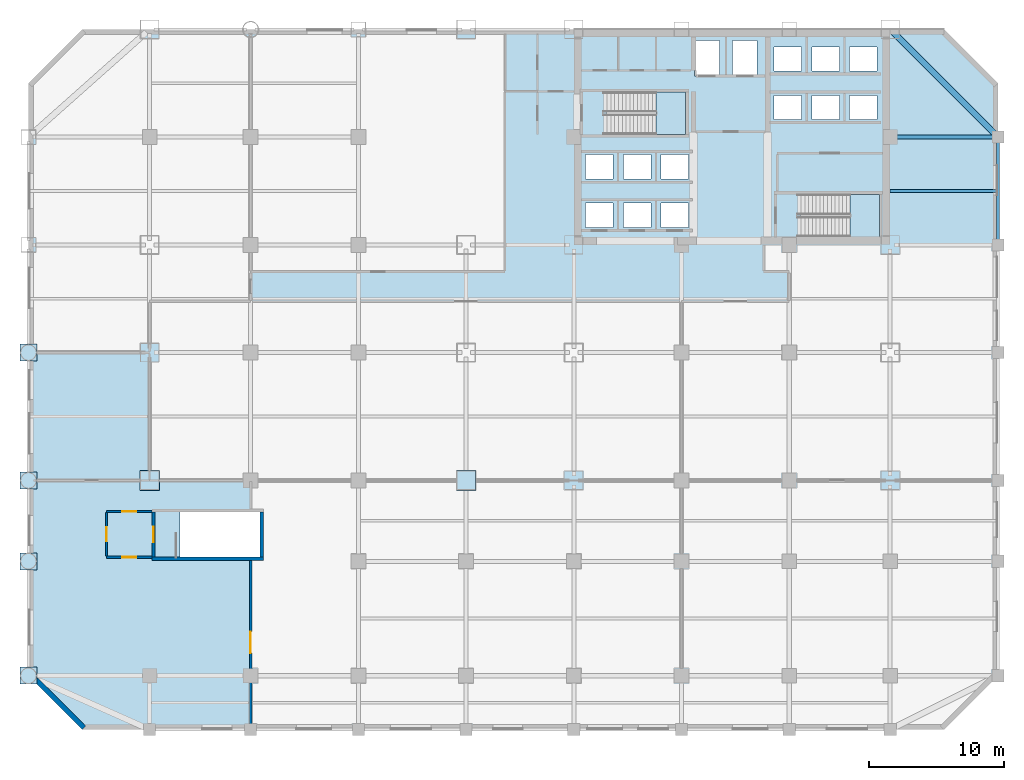
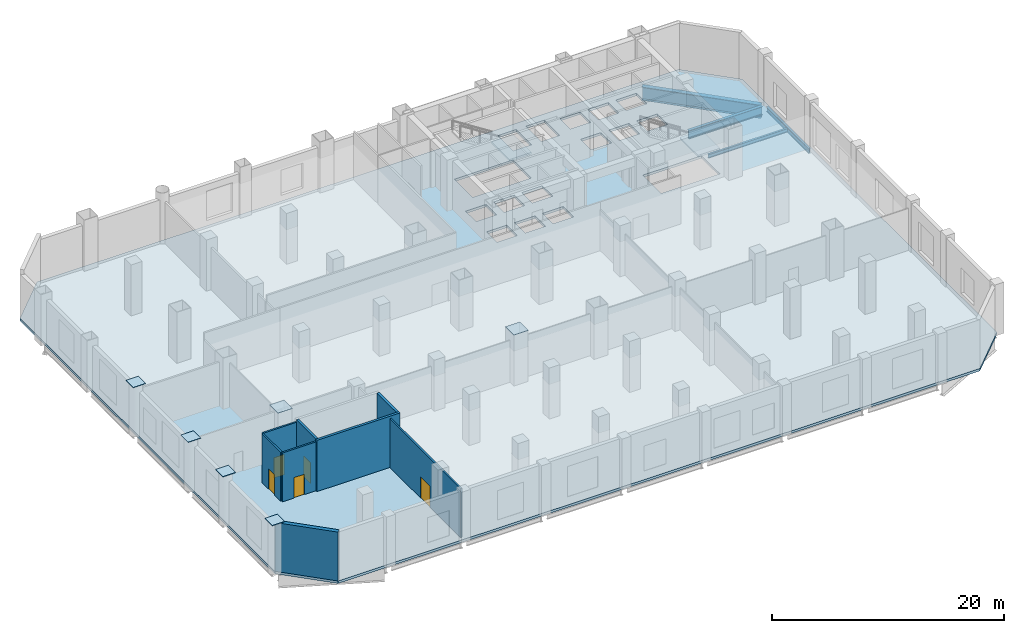
# One storey, part 3 of 9: 8 walls, 6 plates, 5 doors, 4 beams, 3 slabs, 5 openings, 2 elements without a shape of their own.
"""IFC4 building model written with IfcOpenShell, lengths in metres."""

import ifcopenshell
import ifcopenshell.guid

model = None  # the IFC model being written
_history = None  # IfcOwnerHistory: only IFC2X3 demands one
_inside = {}  # id of a spatial element -> (the spatial element, [elements in it])
_under = {}  # id of a project, library or spatial element -> (it, [spatial elements below it])
_declared = {}  # id of a project -> (the project, [libraries it declares])
_typed = {}  # id of a type object -> (the type object, [elements of that type])
_made_of = {}  # id of a material, layer set ... -> (it, [elements and type objects made of it])


def new_model(schema):
    """Start an empty IFC model of exactly this schema.

    Asked for "IFC4X3", IfcOpenShell would pick the latest addendum, in which some entities
    have other attributes; the version numbers below select the first issue.
    IFC2X3 requires an IfcOwnerHistory on every rooted entity: one is made here for all.
    """
    global model, _history
    if schema == "IFC4X3":
        model = ifcopenshell.file(schema_version=(4, 3, 0, 0))
    else:
        model = ifcopenshell.file(schema=schema)
    _inside.clear()
    _under.clear()
    _declared.clear()
    _typed.clear()
    _made_of.clear()
    _history = None
    if model.schema == "IFC2X3":
        org = make("IfcOrganization", Name="unknown")
        user = make(
            "IfcPersonAndOrganization",
            ThePerson=make("IfcPerson", FamilyName="unknown"),
            TheOrganization=org,
        )
        app = make(
            "IfcApplication",
            ApplicationDeveloper=org,
            Version="unknown",
            ApplicationFullName="unknown",
            ApplicationIdentifier="unknown",
        )
        _history = make(
            "IfcOwnerHistory",
            OwningUser=user,
            OwningApplication=app,
            ChangeAction="ADDED",
            CreationDate=0,
        )
    return model


def make(cls, **values):
    """One entity of the class cls with the attributes given. An attribute that is None is left unset."""
    return model.create_entity(
        cls, **{name: value for name, value in values.items() if value is not None}
    )


def rooted(cls, **values):
    """An entity with a GlobalId (a new one), such as an element, a storey or a relation."""
    return make(cls, GlobalId=ifcopenshell.guid.new(), OwnerHistory=_history, **values)


def si_unit(unit_type, name, prefix=None):
    """IfcSIUnit, for example si_unit("LENGTHUNIT", "METRE", prefix="MILLI")."""
    return make("IfcSIUnit", UnitType=unit_type, Prefix=prefix, Name=name)


def assignment(units):
    """IfcUnitAssignment: the units of a project."""
    return None if units is None else make("IfcUnitAssignment", Units=units)


def point(xyz):
    """IfcCartesianPoint."""
    return None if xyz is None else make("IfcCartesianPoint", Coordinates=xyz)


def direction(xyz):
    """IfcDirection."""
    return None if xyz is None else make("IfcDirection", DirectionRatios=xyz)


def frame(location, z_axis=None, x_axis=None):
    """IfcAxis2Placement3D, a coordinate frame: its origin and axes. An axis left out is left unset."""
    return make(
        "IfcAxis2Placement3D",
        Location=point(location),
        Axis=direction(z_axis),
        RefDirection=direction(x_axis),
    )


def frame_2d(location, x_axis=None):
    """IfcAxis2Placement2D, a coordinate frame in the plane: its origin and x axis."""
    return make(
        "IfcAxis2Placement2D", Location=point(location), RefDirection=direction(x_axis)
    )


def origin():
    """The frame at (0, 0, 0) with its axes left unset."""
    return frame((0.0, 0.0, 0.0))


def origin_2d():
    """The frame at (0, 0) in the plane with its x axis left unset."""
    return frame_2d((0.0, 0.0))


def place(relative_to, where):
    """IfcLocalPlacement: puts the frame where relative to a parent placement (None: the world)."""
    return make(
        "IfcLocalPlacement", PlacementRelTo=relative_to, RelativePlacement=where
    )


def context(
    kind, dimensions, precision=None, world=None, true_north=None, identifier=None
):
    """IfcGeometricRepresentationContext, for example the 3D "Model" context."""
    return make(
        "IfcGeometricRepresentationContext",
        ContextIdentifier=identifier,
        ContextType=kind,
        CoordinateSpaceDimension=dimensions,
        Precision=precision,
        WorldCoordinateSystem=world,
        TrueNorth=true_north,
    )


def subcontext(parent, identifier, kind, view, scale=None):
    """IfcGeometricRepresentationSubContext, for example "Body" below "Model"."""
    return make(
        "IfcGeometricRepresentationSubContext",
        ContextIdentifier=identifier,
        ContextType=kind,
        ParentContext=parent,
        TargetScale=scale,
        TargetView=view,
    )


def project(units=None, contexts=None):
    """IfcProject with its units and contexts."""
    return rooted(
        "IfcProject",
        Name="project",
        RepresentationContexts=contexts,
        UnitsInContext=assignment(units),
    )


def spatial(cls, under=None, at=None, **own):
    """A site, building, storey or space (cls), placed at a placement, below another one or the project."""
    s = rooted(cls, ObjectPlacement=at, **own)
    if under is not None:
        _under.setdefault(under.id(), (under, []))[1].append(s)
    return s


def polyline(points):
    """IfcPolyline through the points."""
    return make("IfcPolyline", Points=[point(p) for p in points])


def profile(cls, at=None, kind="AREA", **sizes):
    """A parametric profile (cls). Its sizes go by their IFC names, for example OverallWidth=200.0."""
    return make(cls, ProfileType=kind, Position=at, **sizes)


def rectangle(**sizes):
    """IfcRectangleProfileDef."""
    return profile("IfcRectangleProfileDef", **sizes)


def i_section(**sizes):
    """IfcIShapeProfileDef."""
    return profile("IfcIShapeProfileDef", **sizes)


def outline(outer, holes=None, kind="AREA"):
    """IfcArbitraryClosedProfileDef: a profile drawn as a closed curve; with holes, ...WithVoids."""
    if holes is None:
        return make("IfcArbitraryClosedProfileDef", ProfileType=kind, OuterCurve=outer)
    return make(
        "IfcArbitraryProfileDefWithVoids",
        ProfileType=kind,
        OuterCurve=outer,
        InnerCurves=holes,
    )


def extrude(swept, where, along, depth):
    """IfcExtrudedAreaSolid: the profile swept, set in the frame where, extruded along a direction by depth."""
    return make(
        "IfcExtrudedAreaSolid",
        SweptArea=swept,
        Position=where,
        ExtrudedDirection=direction(along),
        Depth=depth,
    )


def shape(context_of_items, identifier, shape_type, items):
    """IfcShapeRepresentation: the items that make up one representation, for example the "Body"."""
    return make(
        "IfcShapeRepresentation",
        ContextOfItems=context_of_items,
        RepresentationIdentifier=identifier,
        RepresentationType=shape_type,
        Items=items,
    )


def material(Name=None, Category=None):
    """IfcMaterial."""
    return make("IfcMaterial", Name=Name, Category=Category)


def layer(
    of_material, thickness, ventilated=None, Name=None, Category=None, Priority=None
):
    """IfcMaterialLayer: one layer of a wall or slab, of a material (None: an air gap)."""
    return make(
        "IfcMaterialLayer",
        Material=of_material,
        LayerThickness=thickness,
        IsVentilated=ventilated,
        Name=Name,
        Category=Category,
        Priority=Priority,
    )


def layer_set(layers, Name=None):
    """IfcMaterialLayerSet."""
    return make("IfcMaterialLayerSet", MaterialLayers=layers, LayerSetName=Name)


def material_profile(
    of_material, cross_section, Name=None, Category=None, Priority=None
):
    """IfcMaterialProfile: a cross section and its material."""
    return make(
        "IfcMaterialProfile",
        Name=Name,
        Material=of_material,
        Profile=cross_section,
        Priority=Priority,
        Category=Category,
    )


def profile_set(profiles, Name=None, composite=None):
    """IfcMaterialProfileSet."""
    return make(
        "IfcMaterialProfileSet",
        Name=Name,
        MaterialProfiles=profiles,
        CompositeProfile=composite,
    )


def made_of(thing, what):
    """Note that an element or type object is made of a material, layer set ...; save() writes the relation."""
    if what is not None:
        _made_of.setdefault(what.id(), (what, []))[1].append(thing)
    return thing


def type_object(cls, material=None, **own):
    """A type object (cls), such as IfcWallType, which elements share."""
    return made_of(rooted(cls, **own), material)


def element(
    cls,
    number,
    at=None,
    inside=None,
    cuts=None,
    type_object=None,
    material=None,
    context=None,
    identifier="Body",
    shape_type=None,
    held_by="IfcProductDefinitionShape",
    body=None,
    shapes=None,
    **own,
):
    """One element of the class cls, such as IfcWall. Its Tag is "e" and its number.

    at: its placement. inside: the storey or other place that contains it. cuts: it is an
    opening in that element (IfcRelVoidsElement). A single representation is given by context,
    identifier, shape_type and body (its items); several are given by shapes. held_by: the class
    of the entity that holds the representations. save() writes the other relations.
    """
    e = rooted(cls, Tag="e%d" % number, ObjectPlacement=at, **own)
    if body is not None:
        shapes = [shape(context, identifier, shape_type, body)]
    if shapes is not None:
        e.Representation = make(held_by, Representations=shapes)
    if inside is not None:
        _inside.setdefault(inside.id(), (inside, []))[1].append(e)
    if cuts is not None:
        rooted(
            "IfcRelVoidsElement", RelatingBuildingElement=cuts, RelatedOpeningElement=e
        )
    if type_object is not None:
        _typed.setdefault(type_object.id(), (type_object, []))[1].append(e)
    return made_of(e, material)


def fill(opening, filler):
    """IfcRelFillsElement: the door or window that sits in an opening."""
    return rooted(
        "IfcRelFillsElement",
        RelatingOpeningElement=opening,
        RelatedBuildingElement=filler,
    )


def aggregate(whole, parts):
    """IfcRelAggregates: a whole, such as a stair, and the parts it consists of."""
    return rooted("IfcRelAggregates", RelatingObject=whole, RelatedObjects=parts)


def save(model, path):
    """Write the relations noted so far, then the file.

    IfcRelAggregates (storeys below a building ...), IfcRelContainedInSpatialStructure (elements
    in a storey), IfcRelDefinesByType, IfcRelAssociatesMaterial and IfcRelDeclares: one each for
    every whole, place, type object, material and project.
    """
    for whole, parts in _under.values():
        aggregate(whole, parts)
    for where, things in _inside.values():
        rooted(
            "IfcRelContainedInSpatialStructure",
            RelatedElements=things,
            RelatingStructure=where,
        )
    for kind, things in _typed.values():
        rooted("IfcRelDefinesByType", RelatedObjects=things, RelatingType=kind)
    for what, things in _made_of.values():
        rooted("IfcRelAssociatesMaterial", RelatedObjects=things, RelatingMaterial=what)
    for by, libraries in _declared.values():
        rooted("IfcRelDeclares", RelatingContext=by, RelatedDefinitions=libraries)
    model.write(path)


model = new_model("IFC4")

# Units and contexts
model_context = context("Model", 3, precision=1e-05, world=origin(), true_north=direction((0.0, 1.0)))
body_context = subcontext(model_context, "Body", "Model", "MODEL_VIEW")
ifc_project = project(units=[si_unit("LENGTHUNIT", "METRE"), si_unit("AREAUNIT", "SQUARE_METRE"), si_unit("VOLUMEUNIT", "CUBIC_METRE"), si_unit("PLANEANGLEUNIT", "RADIAN"), si_unit("MASSUNIT", "GRAM", prefix="KILO")], contexts=[model_context])

# Site, building, storey
site_placement = place(None, origin())
site = spatial("IfcSite", under=ifc_project, at=site_placement, CompositionType="ELEMENT")
building_placement = place(site_placement, origin())
building = spatial("IfcBuilding", under=site, at=building_placement, Name="Qianrong Seaharbour Tower", CompositionType="ELEMENT")
storey_placement = place(building_placement, frame((0.0, 0.0, 22.800048828125)))
storey = spatial("IfcBuildingStorey", under=building, at=storey_placement, Name="L05", CompositionType="ELEMENT", Elevation=22.800048828125)

# Beams
ifc_material_1 = material(Name="Structural steel SN490B", Category="steel")
ifc_material_profile_1 = material_profile(ifc_material_1, i_section(OverallWidth=0.300048828125, OverallDepth=0.89990234375, WebThickness=0.01611328125, FlangeThickness=0.028076171875, FilletRadius=0.028076171875, at=origin_2d()), Name="H900x300x16x28")
ifc_profile_set_1 = profile_set([ifc_material_profile_1], Name="Structural steel SN490B")
beam_type_1 = type_object("IfcBeamType", Name="BM-G-900", PredefinedType="BEAM", material=ifc_profile_set_1)
beam_1_placement = place(storey_placement, frame((64.320068359375, 44.0, -0.7099609375), z_axis=(1.0, 0.0, 0.0), x_axis=(0.0, 1.0, 0.0)))
element("IfcBeam", 1, at=beam_1_placement, inside=storey, type_object=beam_type_1, Name="L05 Primary Girder GG G9-G10", PredefinedType="BEAM", context=body_context, shape_type="SweptSolid", body=[
    extrude(i_section(OverallWidth=0.300048828125, OverallDepth=0.89990234375, WebThickness=0.01611328125, FlangeThickness=0.028076171875, FilletRadius=0.028076171875, at=origin_2d()), origin(), (0.0, 0.0, 1.0), 7.35986328125),
])
ifc_material_2 = material(Name="Structural steel SN400B", Category="steel")
ifc_material_profile_2 = material_profile(ifc_material_2, i_section(OverallWidth=0.199951171875, OverallDepth=0.39990234375, WebThickness=0.008056640625, FlangeThickness=0.012939453125, FilletRadius=0.01611328125, at=origin_2d()), Name="H400x200x8x13")
ifc_profile_set_2 = profile_set([ifc_material_profile_2], Name="Structural steel SN400B")
beam_type_2 = type_object("IfcBeamType", Name="BM-J-400", PredefinedType="JOIST", material=ifc_profile_set_2)
beam_2_placement = place(storey_placement, frame((64.0, 40.0, -0.4599609375), z_axis=(1.0, 0.0, 0.0), x_axis=(0.0, 1.0, 0.0)))
element("IfcBeam", 2, at=beam_2_placement, inside=storey, type_object=beam_type_2, Name="L05 Composite Floor Joist G9-G10/GF-GG", PredefinedType="JOIST", context=body_context, shape_type="SweptSolid", body=[
    extrude(i_section(OverallWidth=0.199951171875, OverallDepth=0.39990234375, WebThickness=0.008056640625, FlangeThickness=0.012939453125, FilletRadius=0.01611328125, at=origin_2d()), origin(), (0.0, 0.0, 1.0), 7.89990234375),
])
ifc_material_profile_3 = material_profile(ifc_material_1, i_section(OverallWidth=0.199951171875, OverallDepth=0.5, WebThickness=0.010009765625, FlangeThickness=0.01611328125, FilletRadius=0.02001953125, at=origin_2d()), Name="H500x200x10x16")
ifc_profile_set_3 = profile_set([ifc_material_profile_3], Name="Structural steel SN490B")
beam_type_3 = type_object("IfcBeamType", Name="BM-SP-500", PredefinedType="SPANDREL", material=ifc_profile_set_3)
beam_3_placement = place(storey_placement, frame((72.0, 36.320068359375, -0.510009765625), z_axis=(0.0, 1.0, 0.0), x_axis=(-1.0, 0.0, 0.0)))
element("IfcBeam", 3, at=beam_3_placement, inside=storey, type_object=beam_type_3, Name="L05 Spandrel Girder G10 GF-GG", PredefinedType="SPANDREL", context=body_context, shape_type="SweptSolid", body=[
    extrude(i_section(OverallWidth=0.199951171875, OverallDepth=0.5, WebThickness=0.010009765625, FlangeThickness=0.01611328125, FilletRadius=0.02001953125, at=origin_2d()), origin(), (0.0, 0.0, 1.0), 7.35986328125),
])
ifc_material_profile_4 = material_profile(ifc_material_1, i_section(OverallWidth=0.449951171875, OverallDepth=1.39990234375, WebThickness=0.02197265625, FlangeThickness=0.0400390625, at=origin_2d()), Name="BH1400x450x22x40")
ifc_profile_set_4 = profile_set([ifc_material_profile_4], Name="Structural steel SN490B")
beam_type_4 = type_object("IfcBeamType", Name="BM-TG-1400", PredefinedType="BEAM", material=ifc_profile_set_4)
beam_4_placement = place(storey_placement, frame((64.226318359375, 51.773681640625, -0.9599609375), z_axis=(0.707106781187, -0.707106781187, 0.0), x_axis=(0.707106781187, 0.707106781187, 0.0)))
element("IfcBeam", 4, at=beam_4_placement, inside=storey, type_object=beam_type_4, Name="L05 Chamfer Corner Spandrel Girder G10/GH", PredefinedType="BEAM", context=body_context, shape_type="SweptSolid", body=[
    extrude(i_section(OverallWidth=0.449951171875, OverallDepth=1.39990234375, WebThickness=0.02197265625, FlangeThickness=0.0400390625, at=origin_2d()), origin(), (0.0, 0.0, 1.0), 10.673583984375),
])

# Plates
ifc_layer_1 = layer(ifc_material_1, 0.044921875)
ifc_layer_set_1 = layer_set([ifc_layer_1], Name="Structural steel SN490B")
plate_type = type_object("IfcPlateType", Name="PLT-COL-CAP-45", PredefinedType="SHEET", material=ifc_layer_set_1)
for number, where, z_axis, x_axis, name in (
    (5, (0.0, 4.0, 5.37744140625), (0.0, 0.0, 1.0), (1.0, 0.0, 0.0), "L05 Hollow Column Closure Cap Plate G1/GB"),
    (6, (0.0, 12.5, 5.37744140625), (0.0, 0.0, 1.0), (1.0, 0.0, 0.0), "L05 Hollow Column Closure Cap Plate G1/GC"),
    (7, (0.0, 18.5, 5.37744140625), (0.0, 0.0, 1.0), (1.0, 0.0, 0.0), "L05 Hollow Column Closure Cap Plate G1/GD"),
    (8, (0.0, 28.0, 5.37744140625), (0.0, 0.0, 1.0), (1.0, 0.0, 0.0), "L05 Hollow Column Closure Cap Plate G1/GE"),
):
    element("IfcPlate", number, at=place(storey_placement, frame(where, z_axis=z_axis, x_axis=x_axis)), inside=storey, type_object=plate_type, Name=name, PredefinedType="SHEET", context=body_context, shape_type="SweptSolid", body=[
        extrude(rectangle(XDim=1.260009765625, YDim=1.260009765625, at=origin_2d()), origin(), (0.0, 0.0, 1.0), 0.044921875),
    ])
for number, where, z_axis, x_axis, name in (
    (9, (9.0, 18.5, 5.37744140625), (0.0, 0.0, 1.0), (1.0, 0.0, 0.0), "L05 Hollow Column Closure Cap Plate G2/GD"),
    (10, (32.5, 18.5, 5.37744140625), (0.0, 0.0, 1.0), (1.0, 0.0, 0.0), "L05 Hollow Column Closure Cap Plate G5/GD"),
):
    element("IfcPlate", number, at=place(storey_placement, frame(where, z_axis=z_axis, x_axis=x_axis)), inside=storey, type_object=plate_type, Name=name, PredefinedType="SHEET", context=body_context, shape_type="SweptSolid", body=[
        extrude(rectangle(XDim=1.4599609375, YDim=1.4599609375, at=origin_2d()), origin(), (0.0, 0.0, 1.0), 0.044921875),
    ])

# Slab
ifc_material_3 = material(Name="Concrete C50/60", Category="concrete")
ifc_layer_2 = layer(ifc_material_3, 0.260009765625)
ifc_layer_set_2 = layer_set([ifc_layer_2], Name="Concrete C50/60")
slab_type_1 = type_object("IfcSlabType", Name="SLAB-POD-260", PredefinedType="FLOOR", material=ifc_layer_set_2)
slab_1_placement = place(storey_placement, frame((0.0, 0.0, -0.260009765625)))
element("IfcSlab", 11, at=slab_1_placement, inside=storey, type_object=slab_type_1, Name="L05 Structural Floor Slab", PredefinedType="FLOOR", context=body_context, shape_type="SweptSolid", body=[
    extrude(outline(polyline([(4.0, 0.0), (68.0, 0.0), (72.0, 4.0), (72.0, 48.0), (68.0, 52.0), (4.0, 52.0), (0.0, 48.0), (0.0, 4.0), (4.0, 0.0)]), holes=[polyline([(42.93994140625, 44.199951171875), (42.93994140625, 47.35009765625), (48.800048828125, 47.35009765625), (48.800048828125, 44.199951171875), (42.93994140625, 44.199951171875)]), polyline([(57.340087890625, 36.60009765625), (57.340087890625, 39.75), (63.199951171875, 39.75), (63.199951171875, 36.60009765625), (57.340087890625, 36.60009765625)]), polyline([(11.239990234375, 12.800048828125), (11.239990234375, 16.14990234375), (17.199951171875, 16.14990234375), (17.199951171875, 12.800048828125), (11.239990234375, 12.800048828125)]), polyline([(49.47998046875, 48.530029296875), (49.47998046875, 51.169921875), (51.320068359375, 51.169921875), (51.320068359375, 48.530029296875), (49.47998046875, 48.530029296875)]), polyline([(52.280029296875, 48.530029296875), (52.280029296875, 51.169921875), (54.1201171875, 51.169921875), (54.1201171875, 48.530029296875), (52.280029296875, 48.530029296875)]), polyline([(41.3798828125, 37.300048828125), (41.3798828125, 39.10009765625), (43.419921875, 39.10009765625), (43.419921875, 37.300048828125), (41.3798828125, 37.300048828125)]), polyline([(44.179931640625, 37.300048828125), (44.179931640625, 39.10009765625), (46.219970703125, 39.10009765625), (46.219970703125, 37.300048828125), (44.179931640625, 37.300048828125)]), polyline([(46.97998046875, 37.300048828125), (46.97998046875, 39.10009765625), (49.02001953125, 39.10009765625), (49.02001953125, 37.300048828125), (46.97998046875, 37.300048828125)]), polyline([(41.3798828125, 40.89990234375), (41.3798828125, 42.699951171875), (43.419921875, 42.699951171875), (43.419921875, 40.89990234375), (41.3798828125, 40.89990234375)]), polyline([(44.179931640625, 40.89990234375), (44.179931640625, 42.699951171875), (46.219970703125, 42.699951171875), (46.219970703125, 40.89990234375), (44.179931640625, 40.89990234375)]), polyline([(46.97998046875, 40.89990234375), (46.97998046875, 42.699951171875), (49.02001953125, 42.699951171875), (49.02001953125, 40.89990234375), (46.97998046875, 40.89990234375)]), polyline([(55.3798828125, 45.300048828125), (55.3798828125, 47.10009765625), (57.419921875, 47.10009765625), (57.419921875, 45.300048828125), (55.3798828125, 45.300048828125)]), polyline([(58.179931640625, 45.300048828125), (58.179931640625, 47.10009765625), (60.219970703125, 47.10009765625), (60.219970703125, 45.300048828125), (58.179931640625, 45.300048828125)]), polyline([(60.97998046875, 45.300048828125), (60.97998046875, 47.10009765625), (63.02001953125, 47.10009765625), (63.02001953125, 45.300048828125), (60.97998046875, 45.300048828125)]), polyline([(55.3798828125, 48.89990234375), (55.3798828125, 50.699951171875), (57.419921875, 50.699951171875), (57.419921875, 48.89990234375), (55.3798828125, 48.89990234375)]), polyline([(58.179931640625, 48.89990234375), (58.179931640625, 50.699951171875), (60.219970703125, 50.699951171875), (60.219970703125, 48.89990234375), (58.179931640625, 48.89990234375)]), polyline([(60.97998046875, 48.89990234375), (60.97998046875, 50.699951171875), (63.02001953125, 50.699951171875), (63.02001953125, 48.89990234375), (60.97998046875, 48.89990234375)])]), origin(), (0.0, 0.0, 1.0), 0.260009765625),
])

# Stair, slab
stair_type = type_object("IfcStairType", Name="STAIR-DOGLEG-1500-R30", PredefinedType="HALF_TURN_STAIR", material=ifc_material_3)
stair_1_placement = place(storey_placement, origin())
stair_1 = element("IfcStair", 12, at=stair_1_placement, inside=storey, type_object=stair_type, Name="L05 Protected Escape Stair ST-1", PredefinedType="HALF_TURN_STAIR")
ifc_layer_3 = layer(ifc_material_3, 0.199951171875)
ifc_layer_set_3 = layer_set([ifc_layer_3], Name="Concrete C50/60")
slab_type_2 = type_object("IfcSlabType", Name="SLAB-STAIR-LANDING-200", PredefinedType="LANDING", material=ifc_layer_set_3)
slab_2_placement = place(storey_placement, frame((0.0, 0.0, 2.5)))
slab_2 = element("IfcSlab", 13, at=slab_2_placement, type_object=slab_type_2, Name="ST-1 landing 1", PredefinedType="LANDING", context=body_context, shape_type="SweptSolid", body=[
    extrude(outline(polyline([(46.6201171875, 44.199951171875), (48.800048828125, 44.199951171875), (48.800048828125, 47.35009765625), (46.6201171875, 47.35009765625), (46.6201171875, 44.199951171875)])), origin(), (0.0, 0.0, 1.0), 0.199951171875),
])
aggregate(stair_1, [slab_2])

stair_2_placement = place(storey_placement, origin())
stair_2 = element("IfcStair", 14, at=stair_2_placement, inside=storey, type_object=stair_type, Name="L05 Protected Escape Stair ST-2", PredefinedType="HALF_TURN_STAIR")
slab_3_placement = place(storey_placement, frame((0.0, 0.0, 2.5)))
slab_3 = element("IfcSlab", 15, at=slab_3_placement, type_object=slab_type_2, Name="ST-2 landing 1", PredefinedType="LANDING", context=body_context, shape_type="SweptSolid", body=[
    extrude(outline(polyline([(61.02001953125, 36.60009765625), (63.199951171875, 36.60009765625), (63.199951171875, 39.75), (61.02001953125, 39.75), (61.02001953125, 36.60009765625)])), origin(), (0.0, 0.0, 1.0), 0.199951171875),
])
aggregate(stair_2, [slab_3])

# Wall, opening, door
ifc_material_4 = material(Name="Fire-rated acoustic gypsum board partition")
ifc_layer_4 = layer(ifc_material_4, 0.1650390625)
ifc_layer_set_4 = layer_set([ifc_layer_4], Name="Fire-rated acoustic gypsum board partition")
wall_type_1 = type_object("IfcWallType", Name="WALL-CORR-PART-165", PredefinedType="PARTITIONING", material=ifc_layer_set_4)
wall_1_placement = place(storey_placement, frame((9.159912109375, 12.800048828125, 0.0), z_axis=(0.0, 0.0, 1.0), x_axis=(-1.0, 0.0, 0.0)))
wall_1 = element("IfcWall", 16, at=wall_1_placement, inside=storey, type_object=wall_type_1, Name="L05 Interior Partition Wall 014", PredefinedType="PARTITIONING", context=body_context, shape_type="SweptSolid", body=[
    extrude(rectangle(XDim=3.35986328125, YDim=0.1650390625, at=frame_2d((1.679931640625, 0.0))), origin(), (0.0, 0.0, 1.0), 5.14990234375),
])
opening_1_placement = place(wall_1_placement, frame((1.155029296875, 0.0, 0.0)))
opening_1 = element("IfcOpeningElement", 17, at=opening_1_placement, cuts=wall_1, Name="Opening DC-01", PredefinedType="OPENING", context=body_context, shape_type="SweptSolid", body=[
    extrude(rectangle(XDim=1.050048828125, YDim=2.14990234375, at=frame_2d((0.52490234375, 1.074951171875))), frame((0.0, 0.092529296875, 0.0), z_axis=(0.0, -1.0, 0.0), x_axis=(1.0, 0.0, 0.0)), (0.0, 0.0, 1.0), 0.18505859375),
])
ifc_material_5 = material(Name="Acoustic timber and galvanized steel fire door assembly", Category="steel")
door_type_1 = type_object("IfcDoorType", Name="DOOR-CORR-FD60-1050x2150", OperationType="NOTDEFINED", PredefinedType="DOOR", material=ifc_material_5)
door_1_placement = place(opening_1_placement, origin())
door_1 = element("IfcDoor", 18, at=door_1_placement, inside=storey, type_object=door_type_1, Name="L05 Podium Stair Vestibule PST-3 Door", OperationType="SINGLE_SWING_RIGHT", OverallHeight=2.14990234375, OverallWidth=1.050048828125, PredefinedType="DOOR", context=body_context, shape_type="SweptSolid", body=[
    extrude(rectangle(XDim=1.050048828125, YDim=2.14990234375, at=frame_2d((0.52490234375, 1.074951171875))), frame((0.0, 0.02490234375, 0.0), z_axis=(0.0, -1.0, 0.0), x_axis=(1.0, 0.0, 0.0)), (0.0, 0.0, 1.0), 0.050048828125),
])
fill(opening_1, door_1)

wall_2_placement = place(storey_placement, frame((5.800048828125, 12.87451171875, 0.0), z_axis=(0.0, 0.0, 1.0), x_axis=(0.0, 1.0, 0.0)))
wall_2 = element("IfcWall", 19, at=wall_2_placement, inside=storey, type_object=wall_type_1, Name="L05 Interior Partition Wall 015", PredefinedType="PARTITIONING", context=body_context, shape_type="SweptSolid", body=[
    extrude(rectangle(XDim=3.2509765625, YDim=0.1650390625, at=frame_2d((1.62548828125, 0.0))), origin(), (0.0, 0.0, 1.0), 5.14990234375),
])
opening_2_placement = place(wall_2_placement, frame((1.1005859375, 0.0, 0.0)))
opening_2 = element("IfcOpeningElement", 20, at=opening_2_placement, cuts=wall_2, Name="Opening DC-01", PredefinedType="OPENING", context=body_context, shape_type="SweptSolid", body=[
    extrude(rectangle(XDim=1.050048828125, YDim=2.14990234375, at=frame_2d((0.52490234375, 1.074951171875))), frame((0.0, 0.092529296875, 0.0), z_axis=(0.0, -1.0, 0.0), x_axis=(1.0, 0.0, 0.0)), (0.0, 0.0, 1.0), 0.18505859375),
])
door_2_placement = place(opening_2_placement, origin())
door_2 = element("IfcDoor", 21, at=door_2_placement, inside=storey, type_object=door_type_1, Name="L05 Podium Stair Vestibule PST-3 Door", OperationType="SINGLE_SWING_RIGHT", OverallHeight=2.14990234375, OverallWidth=1.050048828125, PredefinedType="DOOR", context=body_context, shape_type="SweptSolid", body=[
    extrude(rectangle(XDim=1.050048828125, YDim=2.14990234375, at=frame_2d((0.52490234375, 1.074951171875))), frame((0.0, 0.02490234375, 0.0), z_axis=(0.0, -1.0, 0.0), x_axis=(1.0, 0.0, 0.0)), (0.0, 0.0, 1.0), 0.050048828125),
])
fill(opening_2, door_2)

wall_3_placement = place(storey_placement, frame((5.800048828125, 16.199951171875, 0.0), z_axis=(0.0, 0.0, 1.0), x_axis=(1.0, 0.0, 0.0)))
wall_3 = element("IfcWall", 22, at=wall_3_placement, inside=storey, type_object=wall_type_1, Name="L05 Interior Partition Wall 016", PredefinedType="PARTITIONING", context=body_context, shape_type="SweptSolid", body=[
    extrude(rectangle(XDim=3.35986328125, YDim=0.1650390625, at=frame_2d((1.679931640625, 0.0))), origin(), (0.0, 0.0, 1.0), 5.14990234375),
])
opening_3_placement = place(wall_3_placement, frame((1.155029296875, 0.0, 0.0)))
opening_3 = element("IfcOpeningElement", 23, at=opening_3_placement, cuts=wall_3, Name="Opening DC-01", PredefinedType="OPENING", context=body_context, shape_type="SweptSolid", body=[
    extrude(rectangle(XDim=1.050048828125, YDim=2.14990234375, at=frame_2d((0.52490234375, 1.074951171875))), frame((0.0, 0.092529296875, 0.0), z_axis=(0.0, -1.0, 0.0), x_axis=(1.0, 0.0, 0.0)), (0.0, 0.0, 1.0), 0.18505859375),
])
door_3_placement = place(opening_3_placement, origin())
door_3 = element("IfcDoor", 24, at=door_3_placement, inside=storey, type_object=door_type_1, Name="L05 Podium Stair Vestibule PST-3 Door", OperationType="SINGLE_SWING_LEFT", OverallHeight=2.14990234375, OverallWidth=1.050048828125, PredefinedType="DOOR", context=body_context, shape_type="SweptSolid", body=[
    extrude(rectangle(XDim=1.050048828125, YDim=2.14990234375, at=frame_2d((0.52490234375, 1.074951171875))), frame((0.0, 0.02490234375, 0.0), z_axis=(0.0, -1.0, 0.0), x_axis=(1.0, 0.0, 0.0)), (0.0, 0.0, 1.0), 0.050048828125),
])
fill(opening_3, door_3)

wall_4_placement = place(storey_placement, frame((16.5, 0.3720703125, 0.0), z_axis=(0.0, 0.0, 1.0), x_axis=(0.0, 1.0, 0.0)))
wall_4 = element("IfcWall", 25, at=wall_4_placement, inside=storey, type_object=wall_type_1, Name="L05 Interior Partition Wall 032", PredefinedType="PARTITIONING", context=body_context, shape_type="SweptSolid", body=[
    extrude(rectangle(XDim=12.196044921875, YDim=0.1650390625, at=frame_2d((6.09814453125, 0.0))), origin(), (0.0, 0.0, 1.0), 5.14990234375),
])
opening_4_placement = place(wall_4_placement, frame((5.298095703125, 0.0, 0.0)))
opening_4 = element("IfcOpeningElement", 26, at=opening_4_placement, cuts=wall_4, Name="Opening DL-01", PredefinedType="OPENING", context=body_context, shape_type="SweptSolid", body=[
    extrude(rectangle(XDim=1.60009765625, YDim=2.25, at=frame_2d((0.800048828125, 1.125))), frame((0.0, 0.092529296875, 0.0), z_axis=(0.0, -1.0, 0.0), x_axis=(1.0, 0.0, 0.0)), (0.0, 0.0, 1.0), 0.18505859375),
])
door_type_2 = type_object("IfcDoorType", Name="DOOR-LOBBY-PAIR-1600x2250", OperationType="DOUBLE_DOOR_SINGLE_SWING", PredefinedType="DOOR", material=ifc_material_5)
door_4_placement = place(opening_4_placement, origin())
door_4 = element("IfcDoor", 27, at=door_4_placement, inside=storey, type_object=door_type_2, Name="L05 Harbour Promenade Bistro Door", OperationType="DOUBLE_DOOR_SINGLE_SWING", OverallHeight=2.25, OverallWidth=1.60009765625, PredefinedType="DOOR", context=body_context, shape_type="SweptSolid", body=[
    extrude(rectangle(XDim=1.60009765625, YDim=2.25, at=frame_2d((0.800048828125, 1.125))), frame((0.0, 0.02490234375, 0.0), z_axis=(0.0, -1.0, 0.0), x_axis=(1.0, 0.0, 0.0)), (0.0, 0.0, 1.0), 0.050048828125),
])
fill(opening_4, door_4)

# Walls
ifc_material_6 = material(Name="Natural honed granite dimension stone", Category="masonry")
ifc_layer_5 = layer(ifc_material_6, 0.3798828125)
ifc_layer_set_5 = layer_set([ifc_layer_5], Name="Natural honed granite dimension stone")
wall_type_2 = type_object("IfcWallType", Name="WALL-EXT-GRANITE-380", PredefinedType="SOLIDWALL", material=ifc_layer_set_5)
wall_5_placement = place(storey_placement, frame((4.13427734375, 0.13427734375, 0.0), z_axis=(0.0, 0.0, 1.0), x_axis=(-0.707106781187, 0.707106781187, 0.0)))
element("IfcWall", 28, at=wall_5_placement, inside=storey, type_object=wall_type_2, Name="L05 Exterior Masonry Facade Wall E07", PredefinedType="SOLIDWALL", context=body_context, shape_type="SweptSolid", body=[
    extrude(rectangle(XDim=5.65673828125, YDim=0.3798828125, at=frame_2d((2.828369140625, 0.0))), origin(), (0.0, 0.0, 1.0), 5.14990234375),
])
ifc_layer_6 = layer(ifc_material_3, 0.239990234375)
ifc_layer_set_6 = layer_set([ifc_layer_6], Name="Concrete C50/60")
wall_type_3 = type_object("IfcWallType", Name="WALL-SHAFT-RC240", PredefinedType="SOLIDWALL", material=ifc_layer_set_6)
wall_6_placement = place(storey_placement, frame((17.43994140625, 12.679931640625, 0.0), z_axis=(0.0, 0.0, 1.0), x_axis=(-1.0, 0.0, 0.0)))
element("IfcWall", 29, at=wall_6_placement, inside=storey, type_object=wall_type_3, Name="L05 PST-3 Structural Stair Core Wall S", PredefinedType="SOLIDWALL", context=body_context, shape_type="SweptSolid", body=[
    extrude(rectangle(XDim=8.280029296875, YDim=0.239990234375, at=frame_2d((4.14013671875, 0.0))), origin(), (0.0, 0.0, 1.0), 5.39990234375),
])

# Wall, opening, door
wall_7_placement = place(storey_placement, frame((9.280029296875, 16.14990234375, 0.0), z_axis=(0.0, 0.0, 1.0), x_axis=(0.0, -1.0, 0.0)))
wall_7 = element("IfcWall", 30, at=wall_7_placement, inside=storey, type_object=wall_type_3, Name="L05 PST-3 Structural Stair Core Wall W", PredefinedType="SOLIDWALL", context=body_context, shape_type="SweptSolid", body=[
    extrude(rectangle(XDim=3.349853515625, YDim=0.239990234375, at=frame_2d((1.6748046875, 0.0))), origin(), (0.0, 0.0, 1.0), 5.39990234375),
])
opening_5_placement = place(wall_7_placement, frame((1.10009765625, 0.0, 0.0)))
opening_5 = element("IfcOpeningElement", 31, at=opening_5_placement, cuts=wall_7, Name="Opening SD-01", PredefinedType="OPENING", context=body_context, shape_type="SweptSolid", body=[
    extrude(rectangle(XDim=1.14990234375, YDim=2.199951171875, at=frame_2d((0.574951171875, 1.10009765625))), frame((0.0, 0.1298828125, 0.0), z_axis=(0.0, -1.0, 0.0), x_axis=(1.0, 0.0, 0.0)), (0.0, 0.0, 1.0), 0.260009765625),
])
door_type_3 = type_object("IfcDoorType", Name="DOOR-STAIR-FD60-1150x2200", OperationType="NOTDEFINED", PredefinedType="DOOR", material=ifc_material_5)
door_5_placement = place(opening_5_placement, origin())
door_5 = element("IfcDoor", 32, at=door_5_placement, inside=storey, type_object=door_type_3, Name="L05 PST-3 Protected Stair Door", OperationType="SINGLE_SWING_RIGHT", OverallHeight=2.199951171875, OverallWidth=1.14990234375, PredefinedType="DOOR", context=body_context, shape_type="SweptSolid", body=[
    extrude(rectangle(XDim=1.14990234375, YDim=2.199951171875, at=frame_2d((0.574951171875, 1.10009765625))), frame((0.0, 0.02490234375, 0.0), z_axis=(0.0, -1.0, 0.0), x_axis=(1.0, 0.0, 0.0)), (0.0, 0.0, 1.0), 0.050048828125),
])
fill(opening_5, door_5)

# Wall
wall_8_placement = place(storey_placement, frame((17.320068359375, 12.800048828125, 0.0), z_axis=(0.0, 0.0, 1.0), x_axis=(0.0, 1.0, 0.0)))
element("IfcWall", 33, at=wall_8_placement, inside=storey, type_object=wall_type_3, Name="L05 PST-3 Structural Stair Core Wall E", PredefinedType="SOLIDWALL", context=body_context, shape_type="SweptSolid", body=[
    extrude(rectangle(XDim=3.349853515625, YDim=0.239990234375, at=frame_2d((1.6748046875, 0.0))), origin(), (0.0, 0.0, 1.0), 5.39990234375),
])

save(model, "model.ifc")
